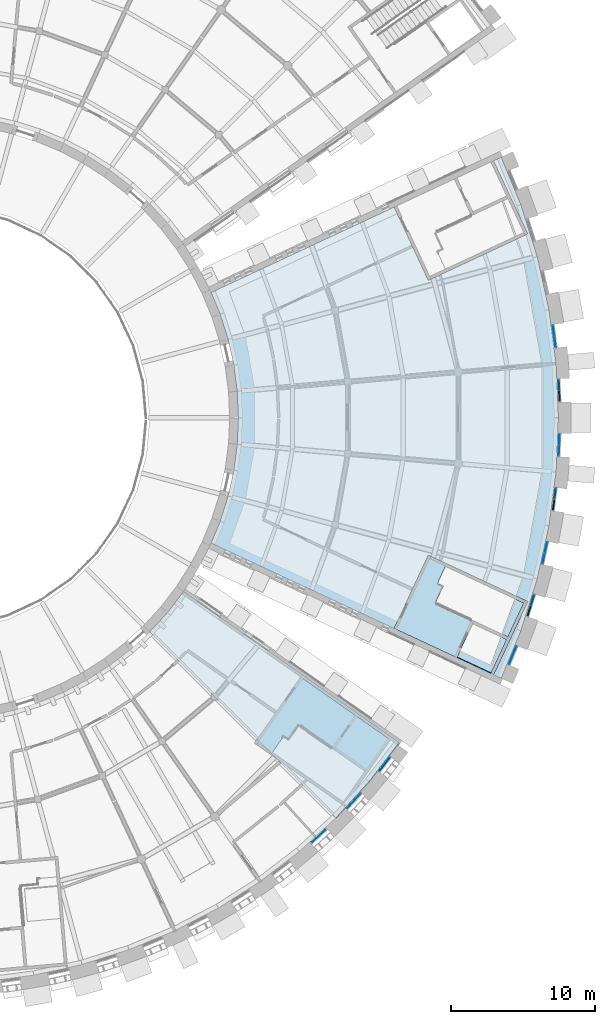
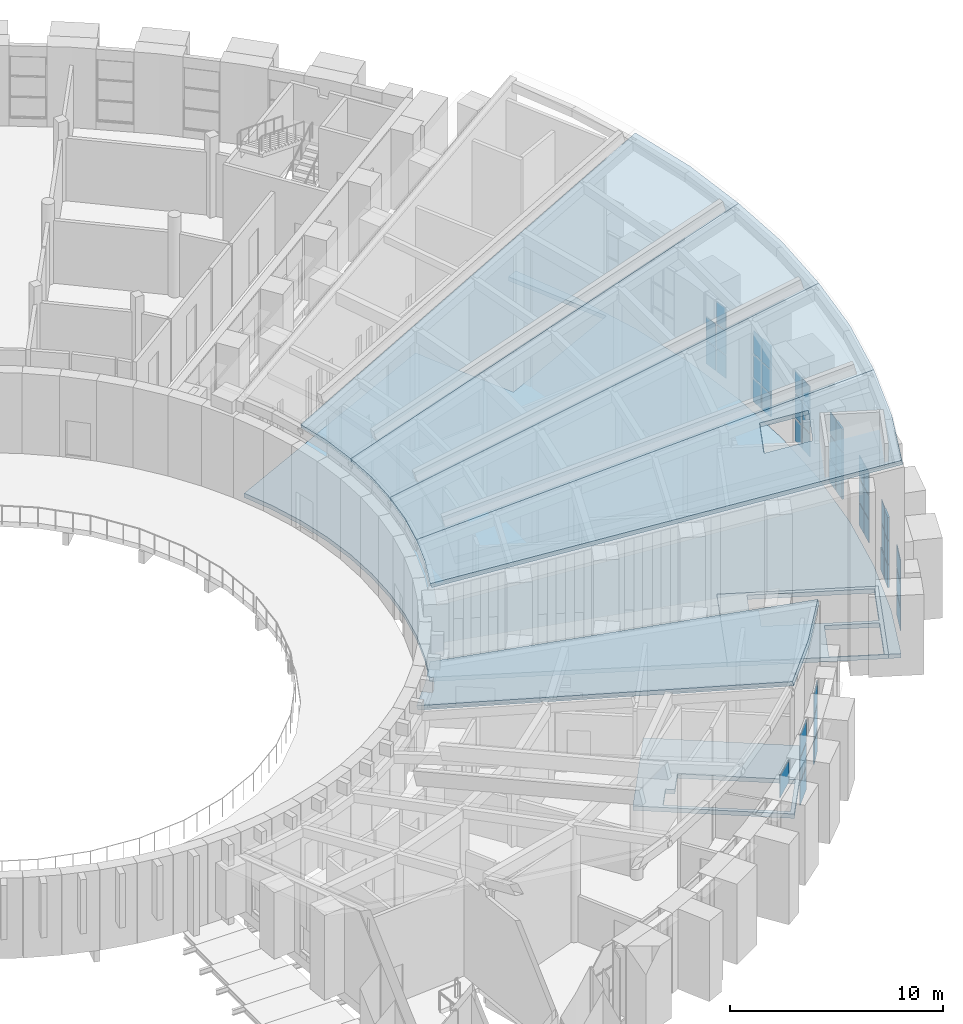
# One storey, part 19 of 50: 45 plates, 8 slabs, 10 elements without a shape of their own.
"""IFC4 building model written with IfcOpenShell, lengths in metres."""

from ifc_helpers import new_model, si_unit, direction, frame, origin, origin_2d, place, context, subcontext, project, spatial, polyline, rectangle, outline, extrude, material, layer, layer_set, type_object, element, aggregate, save


model = new_model("IFC4")

# Units and contexts
model_context = context("Model", 3, precision=1e-05, world=origin(), true_north=direction((0.0, 1.0)))
body_context = subcontext(model_context, "Body", "Model", "MODEL_VIEW")
ifc_project = project(units=[si_unit("LENGTHUNIT", "METRE"), si_unit("AREAUNIT", "SQUARE_METRE"), si_unit("VOLUMEUNIT", "CUBIC_METRE"), si_unit("PLANEANGLEUNIT", "RADIAN"), si_unit("MASSUNIT", "GRAM", prefix="KILO")], contexts=[model_context])

# Site, building, storey
site_placement = place(None, origin())
site = spatial("IfcSite", under=ifc_project, at=site_placement, CompositionType="ELEMENT")
building_placement = place(site_placement, origin())
building = spatial("IfcBuilding", under=site, at=building_placement, Name="Volute Hill Aquarium", CompositionType="ELEMENT")
storey_placement = place(building_placement, frame((0.0, 0.0, 9.199951171875)))
storey = spatial("IfcBuildingStorey", under=building, at=storey_placement, Name="L03", CompositionType="ELEMENT", Elevation=9.199951171875)

# Slabs
ifc_material_1 = material(Name="Concrete C30/37", Category="concrete")
ifc_layer_1 = layer(ifc_material_1, 0.25)
ifc_layer_set_1 = layer_set([ifc_layer_1], Name="Core floor slab 250")
slab_type_1 = type_object("IfcSlabType", Name="Core floor slab 250", PredefinedType="FLOOR", material=ifc_layer_set_1)
slab_1_placement = place(storey_placement, frame((0.0, 0.0, -0.25)))
element("IfcSlab", 1, at=slab_1_placement, inside=storey, type_object=slab_type_1, Name="cs/S3-B/L03", PredefinedType="FLOOR", context=body_context, shape_type="SweptSolid", body=[
    extrude(outline(polyline([(22.10791015625, -22.560546875), (28.33349609375, -26.919921875), (31.54541015625, -22.33251953125), (25.320068359375, -17.973388671875), (22.10791015625, -22.560546875)]), holes=[polyline([(25.2294921875, -21.328125), (29.775634765625, -24.511474609375), (28.284423828125, -26.641357421875), (23.37109375, -23.200927734375), (24.11669921875, -22.135986328125), (24.483642578125, -22.39306640625), (25.2294921875, -21.328125)])]), origin(), (0.0, 0.0, 1.0), 0.25),
])
slab_2_placement = place(storey_placement, frame((0.0, 0.0, -0.25)))
element("IfcSlab", 2, at=slab_2_placement, inside=storey, type_object=slab_type_1, Name="cs/S4-A/L03", PredefinedType="FLOOR", context=body_context, shape_type="SweptSolid", body=[
    extrude(outline(polyline([(31.805419921875, -14.6103515625), (38.693115234375, -17.822265625), (41.059814453125, -12.7470703125), (34.172119140625, -9.53515625), (31.805419921875, -14.6103515625)]), holes=[polyline([(37.25439453125, -14.282470703125), (39.61083984375, -15.38134765625), (38.533203125, -17.6923828125), (36.1767578125, -16.593505859375), (37.25439453125, -14.282470703125)]), polyline([(35.214599609375, -11.676513671875), (34.80859375, -11.487060546875), (35.358154296875, -10.308837890625), (40.794189453125, -12.84375), (39.6953125, -15.2001953125), (34.665283203125, -12.8544921875), (35.214599609375, -11.676513671875)])]), origin(), (0.0, 0.0, 1.0), 0.25),
])

# Curtain wall, plate
ifc_material_2 = material(Name="Aluminium", Category="aluminium")
ifc_layer_2 = layer(ifc_material_2, 0.25)
ifc_layer_set_2 = layer_set([ifc_layer_2], Name="Curtain wall niche S3 module 1489")
curtain_wall_type_1 = type_object("IfcCurtainWallType", Name="Curtain wall niche S3 module 1489", PredefinedType="NOTDEFINED", material=ifc_layer_set_2)
curtain_wall_1_placement = place(storey_placement, origin())
curtain_wall_1 = element("IfcCurtainWall", 3, at=curtain_wall_1_placement, inside=storey, type_object=curtain_wall_type_1, Name="Curtain wall CW S3 L03 8", PredefinedType="NOTDEFINED")
ifc_material_3 = material(Name="Glass, low-iron laminated", Category="glass")
ifc_layer_3 = layer(ifc_material_3, 0.035888671875)
ifc_layer_set_3 = layer_set([ifc_layer_3], Name="Curtain wall glass panel S3 36")
plate_type_1 = type_object("IfcPlateType", Name="Curtain wall glass panel S3 36", PredefinedType="CURTAIN_PANEL", material=ifc_layer_set_3)
plate_1_placement = place(storey_placement, frame((26.57568359375, -29.00244140625, 3.24658203125), z_axis=(0.0, 0.0, 1.0), x_axis=(0.73725642731, 0.675613025622, 0.0)))
plate_1 = element("IfcPlate", 4, at=plate_1_placement, type_object=plate_type_1, Name="CW panel 1.3", PredefinedType="CURTAIN_PANEL", context=body_context, shape_type="SweptSolid", body=[
    extrude(rectangle(XDim=1.369140625, YDim=0.035888671875, at=origin_2d()), origin(), (0.0, 0.0, 1.0), 1.293212890625),
])
aggregate(curtain_wall_1, [plate_1])

# Curtain wall, plates
curtain_wall_2_placement = place(storey_placement, origin())
curtain_wall_2 = element("IfcCurtainWall", 5, at=curtain_wall_2_placement, inside=storey, type_object=curtain_wall_type_1, Name="Curtain wall CW S3 L03 9", PredefinedType="NOTDEFINED")
plate_2_placement = place(storey_placement, frame((29.00244140625, -26.575927734375, 0.51025390625), z_axis=(0.0, 0.0, 1.0), x_axis=(0.675609375694, 0.737259772044, 0.0)))
plate_2 = element("IfcPlate", 6, at=plate_2_placement, type_object=plate_type_1, Name="CW panel 1.1", PredefinedType="CURTAIN_PANEL", context=body_context, shape_type="SweptSolid", body=[
    extrude(rectangle(XDim=1.369140625, YDim=0.035888671875, at=origin_2d()), origin(), (0.0, 0.0, 1.0), 1.293212890625),
])
plate_3_placement = place(storey_placement, frame((29.00244140625, -26.575927734375, 1.863525390625), z_axis=(0.0, 0.0, 1.0), x_axis=(0.675609375694, 0.737259772044, 0.0)))
plate_3 = element("IfcPlate", 7, at=plate_3_placement, type_object=plate_type_1, Name="CW panel 1.2", PredefinedType="CURTAIN_PANEL", context=body_context, shape_type="SweptSolid", body=[
    extrude(rectangle(XDim=1.369140625, YDim=0.035888671875, at=origin_2d()), origin(), (0.0, 0.0, 1.0), 1.3232421875),
])
plate_4_placement = place(storey_placement, frame((29.00244140625, -26.575927734375, 3.24658203125), z_axis=(0.0, 0.0, 1.0), x_axis=(0.675609375694, 0.737259772044, 0.0)))
plate_4 = element("IfcPlate", 8, at=plate_4_placement, type_object=plate_type_1, Name="CW panel 1.3", PredefinedType="CURTAIN_PANEL", context=body_context, shape_type="SweptSolid", body=[
    extrude(rectangle(XDim=1.369140625, YDim=0.035888671875, at=origin_2d()), origin(), (0.0, 0.0, 1.0), 1.293212890625),
])
aggregate(curtain_wall_2, [plate_2, plate_3, plate_4])

ifc_material_4 = material(Name="Aluminium", Category="aluminium")
ifc_layer_4 = layer(ifc_material_4, 0.25)
ifc_layer_set_4 = layer_set([ifc_layer_4], Name="Curtain wall niche S3 module 1289")
curtain_wall_type_2 = type_object("IfcCurtainWallType", Name="Curtain wall niche S3 module 1289", PredefinedType="NOTDEFINED", material=ifc_layer_set_4)
curtain_wall_3_placement = place(storey_placement, origin())
curtain_wall_3 = element("IfcCurtainWall", 9, at=curtain_wall_3_placement, inside=storey, type_object=curtain_wall_type_2, Name="Curtain wall CW S3 L03 10", PredefinedType="NOTDEFINED")
plate_5_placement = place(storey_placement, frame((31.1474609375, -24.0263671875, 1.863525390625), z_axis=(0.0, 0.0, 1.0), x_axis=(0.608745324064, 0.79336569779, 0.0)))
plate_5 = element("IfcPlate", 10, at=plate_5_placement, type_object=plate_type_1, Name="CW panel 1.2", PredefinedType="CURTAIN_PANEL", context=body_context, shape_type="SweptSolid", body=[
    extrude(rectangle(XDim=1.169189453125, YDim=0.035888671875, at=origin_2d()), origin(), (0.0, 0.0, 1.0), 1.3232421875),
])
plate_6_placement = place(storey_placement, frame((31.1474609375, -24.0263671875, 3.24658203125), z_axis=(0.0, 0.0, 1.0), x_axis=(0.608745324064, 0.79336569779, 0.0)))
plate_6 = element("IfcPlate", 11, at=plate_6_placement, type_object=plate_type_1, Name="CW panel 1.3", PredefinedType="CURTAIN_PANEL", context=body_context, shape_type="SweptSolid", body=[
    extrude(rectangle(XDim=1.169189453125, YDim=0.035888671875, at=origin_2d()), origin(), (0.0, 0.0, 1.0), 1.293212890625),
])

ifc_material_5 = material(Name="Aluminium", Category="aluminium")
ifc_layer_5 = layer(ifc_material_5, 0.25)
ifc_layer_set_5 = layer_set([ifc_layer_5], Name="Curtain wall niche S4 module 1437")
curtain_wall_type_3 = type_object("IfcCurtainWallType", Name="Curtain wall niche S4 module 1437", PredefinedType="NOTDEFINED", material=ifc_layer_set_5)
curtain_wall_4_placement = place(storey_placement, origin())
curtain_wall_4 = element("IfcCurtainWall", 12, at=curtain_wall_4_placement, inside=storey, type_object=curtain_wall_type_3, Name="Curtain wall CW S4 L03 1", PredefinedType="NOTDEFINED")
ifc_material_6 = material(Name="Glass, low-iron laminated", Category="glass")
ifc_layer_6 = layer(ifc_material_6, 0.035888671875)
ifc_layer_set_6 = layer_set([ifc_layer_6], Name="Curtain wall glass panel S4 36")
plate_type_2 = type_object("IfcPlateType", Name="Curtain wall glass panel S4 36", PredefinedType="CURTAIN_PANEL", material=ifc_layer_set_6)
plate_7_placement = place(storey_placement, frame((40.027099609375, -16.471435546875, 0.51025390625), z_axis=(0.0, 0.0, 1.0), x_axis=(0.38269714514, 0.923873852375, 0.0)))
plate_7 = element("IfcPlate", 13, at=plate_7_placement, type_object=plate_type_2, Name="CW panel 1.1", PredefinedType="CURTAIN_PANEL", context=body_context, shape_type="SweptSolid", body=[
    extrude(rectangle(XDim=1.317138671875, YDim=0.035888671875, at=origin_2d()), origin(), (0.0, 0.0, 1.0), 1.293212890625),
])
plate_8_placement = place(storey_placement, frame((40.027099609375, -16.471435546875, 1.863525390625), z_axis=(0.0, 0.0, 1.0), x_axis=(0.38269714514, 0.923873852375, 0.0)))
plate_8 = element("IfcPlate", 14, at=plate_8_placement, type_object=plate_type_2, Name="CW panel 1.2", PredefinedType="CURTAIN_PANEL", context=body_context, shape_type="SweptSolid", body=[
    extrude(rectangle(XDim=1.317138671875, YDim=0.035888671875, at=origin_2d()), origin(), (0.0, 0.0, 1.0), 1.3232421875),
])
plate_9_placement = place(storey_placement, frame((40.027099609375, -16.471435546875, 3.24658203125), z_axis=(0.0, 0.0, 1.0), x_axis=(0.38269714514, 0.923873852375, 0.0)))
plate_9 = element("IfcPlate", 15, at=plate_9_placement, type_object=plate_type_2, Name="CW panel 1.3", PredefinedType="CURTAIN_PANEL", context=body_context, shape_type="SweptSolid", body=[
    extrude(rectangle(XDim=1.317138671875, YDim=0.035888671875, at=origin_2d()), origin(), (0.0, 0.0, 1.0), 1.293212890625),
])
aggregate(curtain_wall_4, [plate_7, plate_8, plate_9])

ifc_material_7 = material(Name="Aluminium", Category="aluminium")
ifc_layer_7 = layer(ifc_material_7, 0.25)
ifc_layer_set_7 = layer_set([ifc_layer_7], Name="Curtain wall niche S4 module 819")
curtain_wall_type_4 = type_object("IfcCurtainWallType", Name="Curtain wall niche S4 module 819", PredefinedType="NOTDEFINED", material=ifc_layer_set_7)
curtain_wall_5_placement = place(storey_placement, origin())
curtain_wall_5 = element("IfcCurtainWall", 16, at=curtain_wall_5_placement, inside=storey, type_object=curtain_wall_type_4, Name="Curtain wall CW S4 L03 2", PredefinedType="NOTDEFINED")
plate_10_placement = place(storey_placement, frame((41.398681640625, -12.639404296875, 1.863525390625), z_axis=(0.0, 0.0, 1.0), x_axis=(0.300709576466, 0.953715759869, 0.0)))
plate_10 = element("IfcPlate", 17, at=plate_10_placement, type_object=plate_type_2, Name="CW panel 2.2", PredefinedType="CURTAIN_PANEL", context=body_context, shape_type="SweptSolid", body=[
    extrude(rectangle(XDim=0.728759765625, YDim=0.035888671875, at=origin_2d()), origin(), (0.0, 0.0, 1.0), 1.3232421875),
])
plate_11_placement = place(storey_placement, frame((41.398681640625, -12.639404296875, 3.24658203125), z_axis=(0.0, 0.0, 1.0), x_axis=(0.300709576466, 0.953715759869, 0.0)))
plate_11 = element("IfcPlate", 18, at=plate_11_placement, type_object=plate_type_2, Name="CW panel 2.3", PredefinedType="CURTAIN_PANEL", context=body_context, shape_type="SweptSolid", body=[
    extrude(rectangle(XDim=0.728759765625, YDim=0.035888671875, at=origin_2d()), origin(), (0.0, 0.0, 1.0), 1.293212890625),
])

curtain_wall_6_placement = place(storey_placement, origin())
curtain_wall_6 = element("IfcCurtainWall", 19, at=curtain_wall_6_placement, inside=storey, type_object=curtain_wall_type_4, Name="Curtain wall CW S4 L03 3", PredefinedType="NOTDEFINED")
plate_12_placement = place(storey_placement, frame((42.172119140625, -9.75341796875, 0.51025390625), z_axis=(0.0, 0.0, 1.0), x_axis=(0.216431869204, 0.976297724054, 0.0)))
plate_12 = element("IfcPlate", 20, at=plate_12_placement, type_object=plate_type_2, Name="CW panel 1.1", PredefinedType="CURTAIN_PANEL", context=body_context, shape_type="SweptSolid", body=[
    extrude(rectangle(XDim=0.728759765625, YDim=0.035888671875, at=origin_2d()), origin(), (0.0, 0.0, 1.0), 1.293212890625),
])
plate_13_placement = place(storey_placement, frame((42.172119140625, -9.75341796875, 1.863525390625), z_axis=(0.0, 0.0, 1.0), x_axis=(0.216431869204, 0.976297724054, 0.0)))
plate_13 = element("IfcPlate", 21, at=plate_13_placement, type_object=plate_type_2, Name="CW panel 1.2", PredefinedType="CURTAIN_PANEL", context=body_context, shape_type="SweptSolid", body=[
    extrude(rectangle(XDim=0.728759765625, YDim=0.035888671875, at=origin_2d()), origin(), (0.0, 0.0, 1.0), 1.3232421875),
])
plate_14_placement = place(storey_placement, frame((42.172119140625, -9.75341796875, 3.24658203125), z_axis=(0.0, 0.0, 1.0), x_axis=(0.216431869204, 0.976297724054, 0.0)))
plate_14 = element("IfcPlate", 22, at=plate_14_placement, type_object=plate_type_2, Name="CW panel 1.3", PredefinedType="CURTAIN_PANEL", context=body_context, shape_type="SweptSolid", body=[
    extrude(rectangle(XDim=0.728759765625, YDim=0.035888671875, at=origin_2d()), origin(), (0.0, 0.0, 1.0), 1.293212890625),
])
plate_15_placement = place(storey_placement, frame((42.3427734375, -8.9833984375, 0.51025390625), z_axis=(0.0, 0.0, 1.0), x_axis=(0.216431869204, 0.976297724054, 0.0)))
plate_15 = element("IfcPlate", 23, at=plate_15_placement, type_object=plate_type_2, Name="CW panel 2.1", PredefinedType="CURTAIN_PANEL", context=body_context, shape_type="SweptSolid", body=[
    extrude(rectangle(XDim=0.728759765625, YDim=0.035888671875, at=origin_2d()), origin(), (0.0, 0.0, 1.0), 1.293212890625),
])
plate_16_placement = place(storey_placement, frame((42.3427734375, -8.9833984375, 1.863525390625), z_axis=(0.0, 0.0, 1.0), x_axis=(0.216431869204, 0.976297724054, 0.0)))
plate_16 = element("IfcPlate", 24, at=plate_16_placement, type_object=plate_type_2, Name="CW panel 2.2", PredefinedType="CURTAIN_PANEL", context=body_context, shape_type="SweptSolid", body=[
    extrude(rectangle(XDim=0.728759765625, YDim=0.035888671875, at=origin_2d()), origin(), (0.0, 0.0, 1.0), 1.3232421875),
])
plate_17_placement = place(storey_placement, frame((42.3427734375, -8.9833984375, 3.24658203125), z_axis=(0.0, 0.0, 1.0), x_axis=(0.216431869204, 0.976297724054, 0.0)))
plate_17 = element("IfcPlate", 25, at=plate_17_placement, type_object=plate_type_2, Name="CW panel 2.3", PredefinedType="CURTAIN_PANEL", context=body_context, shape_type="SweptSolid", body=[
    extrude(rectangle(XDim=0.728759765625, YDim=0.035888671875, at=origin_2d()), origin(), (0.0, 0.0, 1.0), 1.293212890625),
])
aggregate(curtain_wall_6, [plate_12, plate_13, plate_14, plate_15, plate_16, plate_17])

curtain_wall_7_placement = place(storey_placement, origin())
curtain_wall_7 = element("IfcCurtainWall", 26, at=curtain_wall_7_placement, inside=storey, type_object=curtain_wall_type_4, Name="Curtain wall CW S4 L03 4", PredefinedType="NOTDEFINED")
plate_18_placement = place(storey_placement, frame((42.964599609375, -5.258544921875, 1.863525390625), z_axis=(0.0, 0.0, 1.0), x_axis=(0.130515808269, 0.991446228392, 0.0)))
plate_18 = element("IfcPlate", 27, at=plate_18_placement, type_object=plate_type_2, Name="CW panel 2.2", PredefinedType="CURTAIN_PANEL", context=body_context, shape_type="SweptSolid", body=[
    extrude(rectangle(XDim=0.728759765625, YDim=0.035888671875, at=origin_2d()), origin(), (0.0, 0.0, 1.0), 1.3232421875),
])
plate_19_placement = place(storey_placement, frame((42.964599609375, -5.258544921875, 3.24658203125), z_axis=(0.0, 0.0, 1.0), x_axis=(0.130515808269, 0.991446228392, 0.0)))
plate_19 = element("IfcPlate", 28, at=plate_19_placement, type_object=plate_type_2, Name="CW panel 2.3", PredefinedType="CURTAIN_PANEL", context=body_context, shape_type="SweptSolid", body=[
    extrude(rectangle(XDim=0.728759765625, YDim=0.035888671875, at=origin_2d()), origin(), (0.0, 0.0, 1.0), 1.293212890625),
])

curtain_wall_8_placement = place(storey_placement, origin())
curtain_wall_8 = element("IfcCurtainWall", 29, at=curtain_wall_8_placement, inside=storey, type_object=curtain_wall_type_4, Name="Curtain wall CW S4 L03 5", PredefinedType="NOTDEFINED")
plate_20_placement = place(storey_placement, frame((43.22509765625, -2.281982421875, 0.51025390625), z_axis=(0.0, 0.0, 1.0), x_axis=(0.043616644488, 0.999048341335, 0.0)))
plate_20 = element("IfcPlate", 30, at=plate_20_placement, type_object=plate_type_2, Name="CW panel 1.1", PredefinedType="CURTAIN_PANEL", context=body_context, shape_type="SweptSolid", body=[
    extrude(rectangle(XDim=0.728759765625, YDim=0.035888671875, at=origin_2d()), origin(), (0.0, 0.0, 1.0), 1.293212890625),
])
plate_21_placement = place(storey_placement, frame((43.22509765625, -2.281982421875, 1.863525390625), z_axis=(0.0, 0.0, 1.0), x_axis=(0.043616644488, 0.999048341335, 0.0)))
plate_21 = element("IfcPlate", 31, at=plate_21_placement, type_object=plate_type_2, Name="CW panel 1.2", PredefinedType="CURTAIN_PANEL", context=body_context, shape_type="SweptSolid", body=[
    extrude(rectangle(XDim=0.728759765625, YDim=0.035888671875, at=origin_2d()), origin(), (0.0, 0.0, 1.0), 1.3232421875),
])
plate_22_placement = place(storey_placement, frame((43.22509765625, -2.281982421875, 3.24658203125), z_axis=(0.0, 0.0, 1.0), x_axis=(0.043616644488, 0.999048341335, 0.0)))
plate_22 = element("IfcPlate", 32, at=plate_22_placement, type_object=plate_type_2, Name="CW panel 1.3", PredefinedType="CURTAIN_PANEL", context=body_context, shape_type="SweptSolid", body=[
    extrude(rectangle(XDim=0.728759765625, YDim=0.035888671875, at=origin_2d()), origin(), (0.0, 0.0, 1.0), 1.293212890625),
])
plate_23_placement = place(storey_placement, frame((43.259521484375, -1.493896484375, 0.51025390625), z_axis=(0.0, 0.0, 1.0), x_axis=(0.043616644488, 0.999048341335, 0.0)))
plate_23 = element("IfcPlate", 33, at=plate_23_placement, type_object=plate_type_2, Name="CW panel 2.1", PredefinedType="CURTAIN_PANEL", context=body_context, shape_type="SweptSolid", body=[
    extrude(rectangle(XDim=0.728759765625, YDim=0.035888671875, at=origin_2d()), origin(), (0.0, 0.0, 1.0), 1.293212890625),
])
plate_24_placement = place(storey_placement, frame((43.259521484375, -1.493896484375, 1.863525390625), z_axis=(0.0, 0.0, 1.0), x_axis=(0.043616644488, 0.999048341335, 0.0)))
plate_24 = element("IfcPlate", 34, at=plate_24_placement, type_object=plate_type_2, Name="CW panel 2.2", PredefinedType="CURTAIN_PANEL", context=body_context, shape_type="SweptSolid", body=[
    extrude(rectangle(XDim=0.728759765625, YDim=0.035888671875, at=origin_2d()), origin(), (0.0, 0.0, 1.0), 1.3232421875),
])
plate_25_placement = place(storey_placement, frame((43.259521484375, -1.493896484375, 3.24658203125), z_axis=(0.0, 0.0, 1.0), x_axis=(0.043616644488, 0.999048341335, 0.0)))
plate_25 = element("IfcPlate", 35, at=plate_25_placement, type_object=plate_type_2, Name="CW panel 2.3", PredefinedType="CURTAIN_PANEL", context=body_context, shape_type="SweptSolid", body=[
    extrude(rectangle(XDim=0.728759765625, YDim=0.035888671875, at=origin_2d()), origin(), (0.0, 0.0, 1.0), 1.293212890625),
])
aggregate(curtain_wall_8, [plate_20, plate_21, plate_22, plate_23, plate_24, plate_25])

curtain_wall_9_placement = place(storey_placement, origin())
curtain_wall_9 = element("IfcCurtainWall", 36, at=curtain_wall_9_placement, inside=storey, type_object=curtain_wall_type_4, Name="Curtain wall CW S4 L03 6", PredefinedType="NOTDEFINED")
plate_26_placement = place(storey_placement, frame((43.22509765625, 2.281982421875, 1.863525390625), z_axis=(0.0, 0.0, 1.0), x_axis=(-0.043622739916, 0.999048075201, 0.0)))
plate_26 = element("IfcPlate", 37, at=plate_26_placement, type_object=plate_type_2, Name="CW panel 2.2", PredefinedType="CURTAIN_PANEL", context=body_context, shape_type="SweptSolid", body=[
    extrude(rectangle(XDim=0.728759765625, YDim=0.035888671875, at=origin_2d()), origin(), (0.0, 0.0, 1.0), 1.3232421875),
])
plate_27_placement = place(storey_placement, frame((43.22509765625, 2.281982421875, 3.24658203125), z_axis=(0.0, 0.0, 1.0), x_axis=(-0.043622739916, 0.999048075201, 0.0)))
plate_27 = element("IfcPlate", 38, at=plate_27_placement, type_object=plate_type_2, Name="CW panel 2.3", PredefinedType="CURTAIN_PANEL", context=body_context, shape_type="SweptSolid", body=[
    extrude(rectangle(XDim=0.728759765625, YDim=0.035888671875, at=origin_2d()), origin(), (0.0, 0.0, 1.0), 1.293212890625),
])

curtain_wall_10_placement = place(storey_placement, origin())
curtain_wall_10 = element("IfcCurtainWall", 39, at=curtain_wall_10_placement, inside=storey, type_object=curtain_wall_type_4, Name="Curtain wall CW S4 L03 7", PredefinedType="NOTDEFINED")
plate_28_placement = place(storey_placement, frame((42.964599609375, 5.258544921875, 0.51025390625), z_axis=(0.0, 0.0, 1.0), x_axis=(-0.130515808269, 0.991446228392, 0.0)))
plate_28 = element("IfcPlate", 40, at=plate_28_placement, type_object=plate_type_2, Name="CW panel 1.1", PredefinedType="CURTAIN_PANEL", context=body_context, shape_type="SweptSolid", body=[
    extrude(rectangle(XDim=0.728759765625, YDim=0.035888671875, at=origin_2d()), origin(), (0.0, 0.0, 1.0), 1.293212890625),
])
plate_29_placement = place(storey_placement, frame((42.964599609375, 5.258544921875, 1.863525390625), z_axis=(0.0, 0.0, 1.0), x_axis=(-0.130515808269, 0.991446228392, 0.0)))
plate_29 = element("IfcPlate", 41, at=plate_29_placement, type_object=plate_type_2, Name="CW panel 1.2", PredefinedType="CURTAIN_PANEL", context=body_context, shape_type="SweptSolid", body=[
    extrude(rectangle(XDim=0.728759765625, YDim=0.035888671875, at=origin_2d()), origin(), (0.0, 0.0, 1.0), 1.3232421875),
])
plate_30_placement = place(storey_placement, frame((42.964599609375, 5.258544921875, 3.24658203125), z_axis=(0.0, 0.0, 1.0), x_axis=(-0.130515808269, 0.991446228392, 0.0)))
plate_30 = element("IfcPlate", 42, at=plate_30_placement, type_object=plate_type_2, Name="CW panel 1.3", PredefinedType="CURTAIN_PANEL", context=body_context, shape_type="SweptSolid", body=[
    extrude(rectangle(XDim=0.728759765625, YDim=0.035888671875, at=origin_2d()), origin(), (0.0, 0.0, 1.0), 1.293212890625),
])
plate_31_placement = place(storey_placement, frame((42.86181640625, 6.04052734375, 0.51025390625), z_axis=(0.0, 0.0, 1.0), x_axis=(-0.130515808269, 0.991446228392, 0.0)))
plate_31 = element("IfcPlate", 43, at=plate_31_placement, type_object=plate_type_2, Name="CW panel 2.1", PredefinedType="CURTAIN_PANEL", context=body_context, shape_type="SweptSolid", body=[
    extrude(rectangle(XDim=0.728759765625, YDim=0.035888671875, at=origin_2d()), origin(), (0.0, 0.0, 1.0), 1.293212890625),
])
plate_32_placement = place(storey_placement, frame((42.86181640625, 6.04052734375, 1.863525390625), z_axis=(0.0, 0.0, 1.0), x_axis=(-0.130515808269, 0.991446228392, 0.0)))
plate_32 = element("IfcPlate", 44, at=plate_32_placement, type_object=plate_type_2, Name="CW panel 2.2", PredefinedType="CURTAIN_PANEL", context=body_context, shape_type="SweptSolid", body=[
    extrude(rectangle(XDim=0.728759765625, YDim=0.035888671875, at=origin_2d()), origin(), (0.0, 0.0, 1.0), 1.3232421875),
])
aggregate(curtain_wall_10, [plate_28, plate_29, plate_30, plate_31, plate_32])

# Plate
ifc_material_8 = material(Name="Aluminium", Category="aluminium")
ifc_layer_8 = layer(ifc_material_8, 0.10009765625)
ifc_layer_set_8 = layer_set([ifc_layer_8], Name="Curtain wall insulated spandrel panel 100")
plate_type_3 = type_object("IfcPlateType", Name="Curtain wall insulated spandrel panel 100", PredefinedType="CURTAIN_PANEL", material=ifc_layer_set_8)
plate_33_placement = place(storey_placement, frame((41.16162109375, -13.391845703125, 0.51025390625), z_axis=(0.0, 0.0, 1.0), x_axis=(0.300709576466, 0.953715759869, 0.0)))
plate_33 = element("IfcPlate", 45, at=plate_33_placement, type_object=plate_type_3, Name="CW panel 1.1", PredefinedType="CURTAIN_PANEL", context=body_context, shape_type="SweptSolid", body=[
    extrude(rectangle(XDim=0.728759765625, YDim=0.10009765625, at=origin_2d()), origin(), (0.0, 0.0, 1.0), 1.293212890625),
])

plate_34_placement = place(storey_placement, frame((41.16162109375, -13.391845703125, 1.863525390625), z_axis=(0.0, 0.0, 1.0), x_axis=(0.300709576466, 0.953715759869, 0.0)))
plate_34 = element("IfcPlate", 46, at=plate_34_placement, type_object=plate_type_3, Name="CW panel 1.2", PredefinedType="CURTAIN_PANEL", context=body_context, shape_type="SweptSolid", body=[
    extrude(rectangle(XDim=0.728759765625, YDim=0.10009765625, at=origin_2d()), origin(), (0.0, 0.0, 1.0), 1.3232421875),
])

plate_35_placement = place(storey_placement, frame((41.16162109375, -13.391845703125, 3.24658203125), z_axis=(0.0, 0.0, 1.0), x_axis=(0.300709576466, 0.953715759869, 0.0)))
plate_35 = element("IfcPlate", 47, at=plate_35_placement, type_object=plate_type_3, Name="CW panel 1.3", PredefinedType="CURTAIN_PANEL", context=body_context, shape_type="SweptSolid", body=[
    extrude(rectangle(XDim=0.728759765625, YDim=0.10009765625, at=origin_2d()), origin(), (0.0, 0.0, 1.0), 1.293212890625),
])

plate_36_placement = place(storey_placement, frame((41.398681640625, -12.639404296875, 0.51025390625), z_axis=(0.0, 0.0, 1.0), x_axis=(0.300709576466, 0.953715759869, 0.0)))
plate_36 = element("IfcPlate", 48, at=plate_36_placement, type_object=plate_type_3, Name="CW panel 2.1", PredefinedType="CURTAIN_PANEL", context=body_context, shape_type="SweptSolid", body=[
    extrude(rectangle(XDim=0.728759765625, YDim=0.10009765625, at=origin_2d()), origin(), (0.0, 0.0, 1.0), 1.293212890625),
])

aggregate(curtain_wall_5, [plate_33, plate_34, plate_35, plate_36, plate_10, plate_11])

plate_37_placement = place(storey_placement, frame((42.86181640625, -6.04052734375, 0.51025390625), z_axis=(0.0, 0.0, 1.0), x_axis=(0.130515808269, 0.991446228392, 0.0)))
plate_37 = element("IfcPlate", 49, at=plate_37_placement, type_object=plate_type_3, Name="CW panel 1.1", PredefinedType="CURTAIN_PANEL", context=body_context, shape_type="SweptSolid", body=[
    extrude(rectangle(XDim=0.728759765625, YDim=0.10009765625, at=origin_2d()), origin(), (0.0, 0.0, 1.0), 1.293212890625),
])

plate_38_placement = place(storey_placement, frame((42.86181640625, -6.04052734375, 1.863525390625), z_axis=(0.0, 0.0, 1.0), x_axis=(0.130515808269, 0.991446228392, 0.0)))
plate_38 = element("IfcPlate", 50, at=plate_38_placement, type_object=plate_type_3, Name="CW panel 1.2", PredefinedType="CURTAIN_PANEL", context=body_context, shape_type="SweptSolid", body=[
    extrude(rectangle(XDim=0.728759765625, YDim=0.10009765625, at=origin_2d()), origin(), (0.0, 0.0, 1.0), 1.3232421875),
])

plate_39_placement = place(storey_placement, frame((42.86181640625, -6.04052734375, 3.24658203125), z_axis=(0.0, 0.0, 1.0), x_axis=(0.130515808269, 0.991446228392, 0.0)))
plate_39 = element("IfcPlate", 51, at=plate_39_placement, type_object=plate_type_3, Name="CW panel 1.3", PredefinedType="CURTAIN_PANEL", context=body_context, shape_type="SweptSolid", body=[
    extrude(rectangle(XDim=0.728759765625, YDim=0.10009765625, at=origin_2d()), origin(), (0.0, 0.0, 1.0), 1.293212890625),
])

plate_40_placement = place(storey_placement, frame((42.964599609375, -5.258544921875, 0.51025390625), z_axis=(0.0, 0.0, 1.0), x_axis=(0.130515808269, 0.991446228392, 0.0)))
plate_40 = element("IfcPlate", 52, at=plate_40_placement, type_object=plate_type_3, Name="CW panel 2.1", PredefinedType="CURTAIN_PANEL", context=body_context, shape_type="SweptSolid", body=[
    extrude(rectangle(XDim=0.728759765625, YDim=0.10009765625, at=origin_2d()), origin(), (0.0, 0.0, 1.0), 1.293212890625),
])

aggregate(curtain_wall_7, [plate_37, plate_38, plate_39, plate_40, plate_18, plate_19])

plate_41_placement = place(storey_placement, frame((43.259521484375, 1.494140625, 0.51025390625), z_axis=(0.0, 0.0, 1.0), x_axis=(-0.043622739916, 0.999048075201, 0.0)))
plate_41 = element("IfcPlate", 53, at=plate_41_placement, type_object=plate_type_3, Name="CW panel 1.1", PredefinedType="CURTAIN_PANEL", context=body_context, shape_type="SweptSolid", body=[
    extrude(rectangle(XDim=0.728759765625, YDim=0.10009765625, at=origin_2d()), origin(), (0.0, 0.0, 1.0), 1.293212890625),
])

plate_42_placement = place(storey_placement, frame((43.259521484375, 1.494140625, 1.863525390625), z_axis=(0.0, 0.0, 1.0), x_axis=(-0.043622739916, 0.999048075201, 0.0)))
plate_42 = element("IfcPlate", 54, at=plate_42_placement, type_object=plate_type_3, Name="CW panel 1.2", PredefinedType="CURTAIN_PANEL", context=body_context, shape_type="SweptSolid", body=[
    extrude(rectangle(XDim=0.728759765625, YDim=0.10009765625, at=origin_2d()), origin(), (0.0, 0.0, 1.0), 1.3232421875),
])

plate_43_placement = place(storey_placement, frame((43.259521484375, 1.494140625, 3.24658203125), z_axis=(0.0, 0.0, 1.0), x_axis=(-0.043622739916, 0.999048075201, 0.0)))
plate_43 = element("IfcPlate", 55, at=plate_43_placement, type_object=plate_type_3, Name="CW panel 1.3", PredefinedType="CURTAIN_PANEL", context=body_context, shape_type="SweptSolid", body=[
    extrude(rectangle(XDim=0.728759765625, YDim=0.10009765625, at=origin_2d()), origin(), (0.0, 0.0, 1.0), 1.293212890625),
])

plate_44_placement = place(storey_placement, frame((43.22509765625, 2.281982421875, 0.51025390625), z_axis=(0.0, 0.0, 1.0), x_axis=(-0.043622739916, 0.999048075201, 0.0)))
plate_44 = element("IfcPlate", 56, at=plate_44_placement, type_object=plate_type_3, Name="CW panel 2.1", PredefinedType="CURTAIN_PANEL", context=body_context, shape_type="SweptSolid", body=[
    extrude(rectangle(XDim=0.728759765625, YDim=0.10009765625, at=origin_2d()), origin(), (0.0, 0.0, 1.0), 1.293212890625),
])

aggregate(curtain_wall_9, [plate_41, plate_42, plate_43, plate_44, plate_26, plate_27])

ifc_material_9 = material(Name="Aluminium", Category="aluminium")
ifc_layer_9 = layer(ifc_material_9, 0.06005859375)
ifc_layer_set_9 = layer_set([ifc_layer_9], Name="Curtain wall insulated spandrel panel 60")
plate_type_4 = type_object("IfcPlateType", Name="Curtain wall insulated spandrel panel 60", PredefinedType="CURTAIN_PANEL", material=ifc_layer_set_9)
plate_45_placement = place(storey_placement, frame((31.1474609375, -24.0263671875, 0.51025390625), z_axis=(0.0, 0.0, 1.0), x_axis=(0.608745324064, 0.79336569779, 0.0)))
plate_45 = element("IfcPlate", 57, at=plate_45_placement, type_object=plate_type_4, Name="CW panel 1.1", PredefinedType="CURTAIN_PANEL", context=body_context, shape_type="SweptSolid", body=[
    extrude(rectangle(XDim=1.169189453125, YDim=0.06005859375, at=origin_2d()), origin(), (0.0, 0.0, 1.0), 1.293212890625),
])

aggregate(curtain_wall_3, [plate_45, plate_5, plate_6])

# Slabs
ifc_material_10 = material(Name="Concrete C35/45", Category="concrete")
ifc_layer_10 = layer(ifc_material_10, 0.239990234375)
ifc_layer_set_10 = layer_set([ifc_layer_10], Name="Floor slab 240 C35/45")
slab_type_2 = type_object("IfcSlabType", Name="Floor slab 240 C35/45", PredefinedType="FLOOR", material=ifc_layer_set_10)
slab_3_placement = place(storey_placement, frame((0.0, 0.0, -0.239990234375)))
element("IfcSlab", 58, at=slab_3_placement, inside=storey, type_object=slab_type_2, Name="fl/S4/L03/1", PredefinedType="FLOOR", context=body_context, shape_type="SweptSolid", body=[
    extrude(outline(polyline([(40.5947265625, 14.775390625), (41.72802734375, 11.180908203125), (42.543701171875, 7.501708984375), (43.03564453125, 3.76513671875), (43.199951171875, 0.0), (43.03564453125, -3.76513671875), (42.543701171875, -7.501708984375), (41.72802734375, -11.180908203125), (40.5947265625, -14.775390625), (39.22900390625, -18.072265625), (38.693115234375, -17.822265625), (41.059814453125, -12.7470703125), (34.172119140625, -9.53515625), (31.805419921875, -14.6103515625), (19.109130859375, -8.68994140625), (19.7333984375, -7.182373046875), (20.284423828125, -5.435302734375), (20.680908203125, -3.646484375), (20.920166015625, -1.830322265625), (21.0, 0.0), (20.920166015625, 1.830322265625), (20.680908203125, 3.646484375), (20.284423828125, 5.435302734375), (19.7333984375, 7.182373046875), (19.109130859375, 8.68994140625), (31.805419921875, 14.6103515625), (34.172119140625, 9.53515625), (41.059814453125, 12.7470703125), (38.693115234375, 17.822265625), (39.22900390625, 18.072265625), (40.5947265625, 14.775390625)])), origin(), (0.0, 0.0, 1.0), 0.239990234375),
])
ifc_material_11 = material(Name="Concrete C30/37", Category="concrete")
ifc_layer_11 = layer(ifc_material_11, 0.25)
ifc_layer_set_11 = layer_set([ifc_layer_11], Name="Roof slab 250 C30/37")
slab_type_3 = type_object("IfcSlabType", Name="Roof slab 250 C30/37", PredefinedType="ROOF", material=ifc_layer_set_11)
slab_4_placement = place(storey_placement, frame((27.75390625, -27.75390625, 8.291748046875), z_axis=(-0.191412875102, 0.160620174137, 0.968277992575), x_axis=(0.675554828345, 0.737223863216, 0.011253861782)))
element("IfcSlab", 59, at=slab_4_placement, inside=storey, type_object=slab_type_3, Name="rf/S3/L03/5", PredefinedType="ROOF", context=body_context, shape_type="SweptSolid", body=[
    extrude(outline(polyline([(0.0, 0.0), (3.424207728120422, 4.683753385137379e-17), (6.83465668814234, 0.30823834054279287), (4.399768039053221, 18.993623595074606), (2.575138451842853, 18.828769122277567), (0.7430264607763626, 18.828872906163273), (0.0, 0.0)])), origin(), (0.0, 0.0, -1.0), 0.25),
])
slab_5_placement = place(storey_placement, frame((39.152587890625, -18.257080078125, 11.207275390625), z_axis=(-0.234809741264, 0.08546216905, 0.968277131336), x_axis=(0.382657189344, 0.92382182112, 0.011256920794)))
element("IfcSlab", 60, at=slab_5_placement, inside=storey, type_object=slab_type_3, Name="rf/S4/L03/1", PredefinedType="ROOF", context=body_context, shape_type="SweptSolid", body=[
    extrude(outline(polyline([(0.0, 0.0), (3.768783621256438, -2.3245294578089215e-16), (7.522632410579659, 0.33926154586847757), (4.5607527204486304, 23.068986027763007), (2.7361508185889267, 22.90423721332417), (0.9040164644142434, 22.90411074125003), (0.0, 0.0)]), holes=[polyline([(3.4561414627781892, 3.8751598361621786), (5.854501039779989, 3.7670022409728956), (5.948090718759641, 6.139880030967062), (3.549956684194638, 6.24812873002359), (3.4561414627781892, 3.8751598361621786)])]), origin(), (0.0, 0.0, -1.0), 0.25),
])
slab_6_placement = place(storey_placement, frame((41.72802734375, -11.180908203125, 11.207275390625), z_axis=(-0.246082807254, 0.043393335457, 0.968276959559), x_axis=(0.216433723878, 0.976232427414, 0.011255702247)))
element("IfcSlab", 61, at=slab_6_placement, inside=storey, type_object=slab_type_3, Name="rf/S4/L03/2", PredefinedType="ROOF", context=body_context, shape_type="SweptSolid", body=[
    extrude(outline(polyline([(0.0, 0.0), (3.7687710558596113, -3.122502256758253e-17), (7.522529054638512, 0.3392433337097105), (4.560582901877253, 23.068910386154272), (2.736036675743441, 22.90413540463176), (0.9036880190213975, 22.904070692489704), (0.0, 0.0)])), origin(), (0.0, 0.0, -1.0), 0.25),
])
slab_7_placement = place(storey_placement, frame((43.03564453125, -3.76513671875, 11.207275390625), z_axis=(-0.249880438872, 0.0, 0.968276699229), x_axis=(0.043599722785, 0.998985717803, 0.011251657582)))
element("IfcSlab", 62, at=slab_7_placement, inside=storey, type_object=slab_type_3, Name="rf/S4/L03/3", PredefinedType="ROOF", context=body_context, shape_type="SweptSolid", body=[
    extrude(outline(polyline([(0.0, 0.0), (3.7689595072788493, -2.2551405187698492e-17), (7.522635615214996, 0.3390743933371741), (4.561338568974325, 23.06882602267617), (2.7365870000961565, 22.9040067410183), (0.9044069643013364, 22.90399391744671), (0.0, 0.0)])), origin(), (0.0, 0.0, -1.0), 0.25),
])
slab_8_placement = place(storey_placement, frame((43.03564453125, 3.76513671875, 11.207275390625), z_axis=(-0.246082807254, -0.043393335457, 0.968276959559), x_axis=(-0.13051840714, 0.991381964145, 0.011258177736)))
element("IfcSlab", 63, at=slab_8_placement, inside=storey, type_object=slab_type_3, Name="rf/S4/L03/4", PredefinedType="ROOF", context=body_context, shape_type="SweptSolid", body=[
    extrude(outline(polyline([(0.0, 0.0), (3.7690562682007087, 5.0306980803327406e-17), (7.522530212290436, 0.33921766245979434), (4.5609720309438835, 23.068984037431356), (2.736054892424084, 22.904123364390607), (0.9040833554664904, 22.904006693441428), (0.0, 0.0)])), origin(), (0.0, 0.0, -1.0), 0.25),
])

save(model, "model.ifc")
